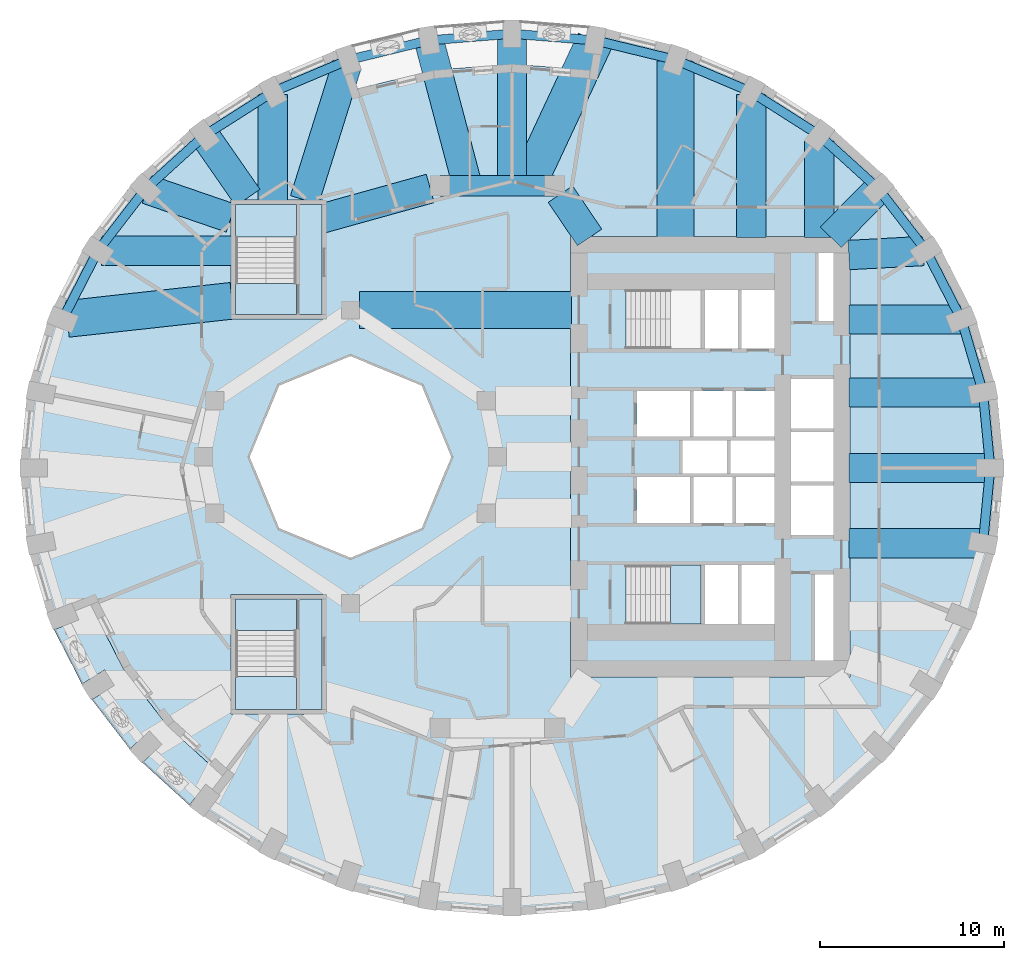
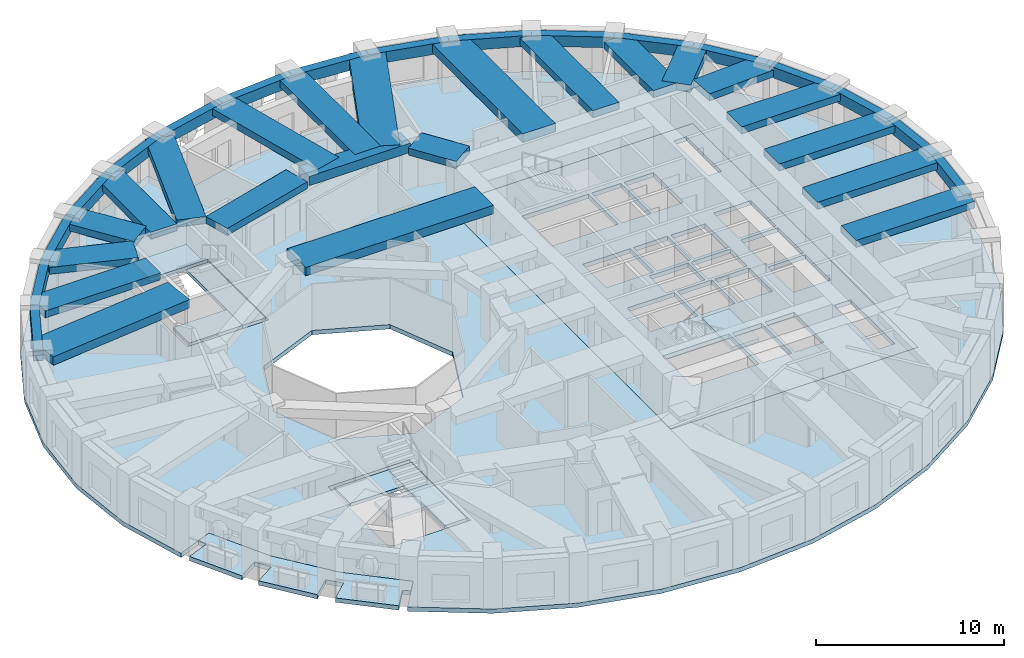
# One storey, part 2 of 12: 39 beams, 10 slabs, 3 elements without a shape of their own.
"""IFC4 building model written with IfcOpenShell, lengths in metres."""

from ifc_helpers import new_model, si_unit, direction, frame, origin, origin_2d, place, context, subcontext, project, spatial, polyline, rectangle, outline, extrude, material, layer, layer_set, material_profile, profile_set, type_object, element, aggregate, save


model = new_model("IFC4")

# Units and contexts
model_context = context("Model", 3, precision=1e-05, world=origin(), true_north=direction((0.0, 1.0)))
body_context = subcontext(model_context, "Body", "Model", "MODEL_VIEW")
ifc_project = project(units=[si_unit("LENGTHUNIT", "METRE"), si_unit("AREAUNIT", "SQUARE_METRE"), si_unit("VOLUMEUNIT", "CUBIC_METRE"), si_unit("PLANEANGLEUNIT", "RADIAN"), si_unit("MASSUNIT", "GRAM", prefix="KILO")], contexts=[model_context])

# Site, building, storey
site_placement = place(None, origin())
site = spatial("IfcSite", under=ifc_project, at=site_placement, CompositionType="ELEMENT")
building_placement = place(site_placement, origin())
building = spatial("IfcBuilding", under=site, at=building_placement, Name="Taillehof Tower", CompositionType="ELEMENT")
storey_placement = place(building_placement, frame((0.0, 0.0, 92.199951171875)))
storey = spatial("IfcBuildingStorey", under=building, at=storey_placement, Name="L25", CompositionType="ELEMENT", Elevation=92.199951171875)

# Beams
ifc_material_1 = material(Name="Concrete C50/60", Category="concrete")
ifc_material_profile_1 = material_profile(ifc_material_1, rectangle(XDim=1.10009765625, YDim=0.60009765625, at=origin_2d()), Name="RC 1100x600")
ifc_profile_set_1 = profile_set([ifc_material_profile_1], Name="Concrete C50/60")
beam_type_1 = type_object("IfcBeamType", Name="Mid-ring beam C50/60 1100x600", PredefinedType="BEAM", material=ifc_profile_set_1)
beam_1_placement = place(storey_placement, frame((3.125732421875, 14.772216796875, 2.719970703125), z_axis=(-1.0, 0.0, 0.0), x_axis=(0.0, -1.0, 0.0)))
element("IfcBeam", 1, at=beam_1_placement, inside=storey, type_object=beam_type_1, Name="Mid-ring beam MB01", PredefinedType="BEAM", context=body_context, shape_type="SweptSolid", body=[
    extrude(rectangle(XDim=1.10009765625, YDim=0.60009765625, at=origin_2d()), origin(), (0.0, 0.0, 1.0), 6.25146484375),
])
ifc_material_2 = material(Name="Concrete C50/60", Category="concrete")
ifc_material_profile_2 = material_profile(ifc_material_2, rectangle(XDim=1.60009765625, YDim=0.449951171875, at=origin_2d()), Name="RC 1600x450")
ifc_profile_set_2 = profile_set([ifc_material_profile_2], Name="Concrete C50/60")
beam_type_2 = type_object("IfcBeamType", Name="Radial band beam C50/60 1600x450", PredefinedType="BEAM", material=ifc_profile_set_2)
beam_2_placement = place(storey_placement, frame((26.85009765625, -0.60009765625, 2.795166015625), z_axis=(-1.0, 0.0, 0.0), x_axis=(0.0, -1.0, 0.0)))
element("IfcBeam", 2, at=beam_2_placement, inside=storey, type_object=beam_type_2, Name="Radial band beam RB01", PredefinedType="BEAM", context=body_context, shape_type="SweptSolid", body=[
    extrude(rectangle(XDim=1.60009765625, YDim=0.449951171875, at=origin_2d()), origin(), (0.0, 0.0, 1.0), 7.7001953125),
])
beam_3_placement = place(storey_placement, frame((26.454345703125, 3.5068359375, 2.795166015625), z_axis=(-1.0, 0.0, 0.0), x_axis=(0.0, -1.0, 0.0)))
element("IfcBeam", 3, at=beam_3_placement, inside=storey, type_object=beam_type_2, Name="Radial band beam RB02", PredefinedType="BEAM", context=body_context, shape_type="SweptSolid", body=[
    extrude(rectangle(XDim=1.60009765625, YDim=0.449951171875, at=origin_2d()), origin(), (0.0, 0.0, 1.0), 7.304443359375),
])
beam_4_placement = place(storey_placement, frame((25.2275390625, 7.48876953125, 2.795166015625), z_axis=(-1.0, 0.0, 0.0), x_axis=(0.0, -1.0, 0.0)))
element("IfcBeam", 4, at=beam_4_placement, inside=storey, type_object=beam_type_2, Name="Radial band beam RB03", PredefinedType="BEAM", context=body_context, shape_type="SweptSolid", body=[
    extrude(rectangle(XDim=1.60009765625, YDim=0.449951171875, at=origin_2d()), origin(), (0.0, 0.0, 1.0), 6.07763671875),
])
beam_5_placement = place(storey_placement, frame((23.197021484375, 11.21630859375, 2.795166015625), z_axis=(-0.998539024739, -0.054035322466, 0.0), x_axis=(0.054035322466, -0.998539024739, 0.0)))
element("IfcBeam", 5, at=beam_5_placement, inside=storey, type_object=beam_type_2, Name="Radial band beam RB04", PredefinedType="BEAM", context=body_context, shape_type="SweptSolid", body=[
    extrude(rectangle(XDim=1.60009765625, YDim=0.449951171875, at=origin_2d()), origin(), (0.0, 0.0, 1.0), 4.052734375),
])
beam_6_placement = place(storey_placement, frame((20.75537109375, 14.60205078125, 2.795166015625), z_axis=(-0.700671998657, -0.713483531903, 0.0), x_axis=(0.713483531903, -0.700671998657, 0.0)))
element("IfcBeam", 6, at=beam_6_placement, inside=storey, type_object=beam_type_2, Name="Radial band beam RB05", PredefinedType="BEAM", context=body_context, shape_type="SweptSolid", body=[
    extrude(rectangle(XDim=1.60009765625, YDim=0.449951171875, at=origin_2d()), origin(), (0.0, 0.0, 1.0), 3.697021484375),
])
beam_7_placement = place(storey_placement, frame((17.544677734375, 17.2216796875, 2.795166015625), z_axis=(0.0, -1.0, 0.0), x_axis=(1.0, 0.0, 0.0)))
element("IfcBeam", 7, at=beam_7_placement, inside=storey, type_object=beam_type_2, Name="Radial band beam RB06", PredefinedType="BEAM", context=body_context, shape_type="SweptSolid", body=[
    extrude(rectangle(XDim=1.60009765625, YDim=0.449951171875, at=origin_2d()), origin(), (0.0, 0.0, 1.0), 5.271728515625),
])
beam_8_placement = place(storey_placement, frame((13.824951171875, 19.744384765625, 2.795166015625), z_axis=(0.0, -1.0, 0.0), x_axis=(1.0, 0.0, 0.0)))
element("IfcBeam", 8, at=beam_8_placement, inside=storey, type_object=beam_type_2, Name="Radial band beam RB07", PredefinedType="BEAM", context=body_context, shape_type="SweptSolid", body=[
    extrude(rectangle(XDim=1.60009765625, YDim=0.449951171875, at=origin_2d()), origin(), (0.0, 0.0, 1.0), 7.79443359375),
])
beam_9_placement = place(storey_placement, frame((0.800048828125, 23.050048828125, 2.795166015625), z_axis=(0.0, -1.0, 0.0), x_axis=(1.0, 0.0, 0.0)))
element("IfcBeam", 9, at=beam_9_placement, inside=storey, type_object=beam_type_2, Name="Radial band beam RB10", PredefinedType="BEAM", context=body_context, shape_type="SweptSolid", body=[
    extrude(rectangle(XDim=1.60009765625, YDim=0.449951171875, at=origin_2d()), origin(), (0.0, 0.0, 1.0), 8.27783203125),
])
beam_10_placement = place(storey_placement, frame((-3.7236328125, 22.690673828125, 2.795166015625), z_axis=(0.256102263642, -0.966649693817, 0.0), x_axis=(0.966649693817, 0.256102263642, 0.0)))
element("IfcBeam", 10, at=beam_10_placement, inside=storey, type_object=beam_type_2, Name="Radial band beam RB11", PredefinedType="BEAM", context=body_context, shape_type="SweptSolid", body=[
    extrude(rectangle(XDim=1.60009765625, YDim=0.449951171875, at=origin_2d()), origin(), (0.0, 0.0, 1.0), 8.191650390625),
])
beam_11_placement = place(storey_placement, frame((-8.189453125, 21.369140625, 2.795166015625), z_axis=(-0.299184997435, -0.954195125386, 0.0), x_axis=(0.954195125386, -0.299184997435, 0.0)))
element("IfcBeam", 11, at=beam_11_placement, inside=storey, type_object=beam_type_2, Name="Radial band beam RB12", PredefinedType="BEAM", context=body_context, shape_type="SweptSolid", body=[
    extrude(rectangle(XDim=1.60009765625, YDim=0.449951171875, at=origin_2d()), origin(), (0.0, 0.0, 1.0), 7.728515625),
])
beam_12_placement = place(storey_placement, frame((-12.22509765625, 19.744384765625, 2.795166015625), z_axis=(0.0, -1.0, 0.0), x_axis=(1.0, 0.0, 0.0)))
element("IfcBeam", 12, at=beam_12_placement, inside=storey, type_object=beam_type_2, Name="Radial band beam RB13", PredefinedType="BEAM", context=body_context, shape_type="SweptSolid", body=[
    extrude(rectangle(XDim=1.60009765625, YDim=0.449951171875, at=origin_2d()), origin(), (0.0, 0.0, 1.0), 5.79443359375),
])
beam_13_placement = place(storey_placement, frame((-15.944580078125, 17.516845703125, 2.795166015625), z_axis=(0.570763290366, -0.821114648737, 0.0), x_axis=(0.821114648737, 0.570763290366, 0.0)))
element("IfcBeam", 13, at=beam_13_placement, inside=storey, type_object=beam_type_2, Name="Radial band beam RB14", PredefinedType="BEAM", context=body_context, shape_type="SweptSolid", body=[
    extrude(rectangle(XDim=1.60009765625, YDim=0.449951171875, at=origin_2d()), origin(), (0.0, 0.0, 1.0), 4.1328125),
])
beam_14_placement = place(storey_placement, frame((-19.080810546875, 14.576171875, 2.795166015625), z_axis=(0.945583195076, -0.325380425334, 0.0), x_axis=(0.325380425334, 0.945583195076, 0.0)))
element("IfcBeam", 14, at=beam_14_placement, inside=storey, type_object=beam_type_2, Name="Radial band beam RB15", PredefinedType="BEAM", context=body_context, shape_type="SweptSolid", body=[
    extrude(rectangle(XDim=1.60009765625, YDim=0.449951171875, at=origin_2d()), origin(), (0.0, 0.0, 1.0), 4.83349609375),
])
beam_15_placement = place(storey_placement, frame((-21.54736328125, 11.22509765625, 2.795166015625), z_axis=(1.0, 0.0, 0.0), x_axis=(0.0, 1.0, 0.0)))
element("IfcBeam", 15, at=beam_15_placement, inside=storey, type_object=beam_type_2, Name="Radial band beam RB16", PredefinedType="BEAM", context=body_context, shape_type="SweptSolid", body=[
    extrude(rectangle(XDim=1.60009765625, YDim=0.449951171875, at=origin_2d()), origin(), (0.0, 0.0, 1.0), 7.097412109375),
])
beam_16_placement = place(storey_placement, frame((26.454345703125, -4.706787109375, 2.795166015625), z_axis=(-1.0, 0.0, 0.0), x_axis=(0.0, -1.0, 0.0)))
element("IfcBeam", 16, at=beam_16_placement, inside=storey, type_object=beam_type_2, Name="Radial band beam RB36", PredefinedType="BEAM", context=body_context, shape_type="SweptSolid", body=[
    extrude(rectangle(XDim=1.60009765625, YDim=0.449951171875, at=origin_2d()), origin(), (0.0, 0.0, 1.0), 7.304443359375),
])
beam_17_placement = place(storey_placement, frame((3.433837890625, 14.31640625, 2.795166015625), z_axis=(0.560112043398, -0.828416862962, 0.0), x_axis=(0.828416862962, 0.560112043398, 0.0)))
element("IfcBeam", 17, at=beam_17_placement, inside=storey, type_object=beam_type_2, Name="Inner band beam IB205", PredefinedType="BEAM", context=body_context, shape_type="SweptSolid", body=[
    extrude(rectangle(XDim=1.60009765625, YDim=0.449951171875, at=origin_2d()), origin(), (0.0, 0.0, 1.0), 2.84619140625),
])
beam_18_placement = place(storey_placement, frame((-3.655517578125, 14.624755859375, 2.795166015625), z_axis=(-0.963459369536, -0.267854518821, 0.0), x_axis=(0.267854518821, -0.963459369536, 0.0)))
element("IfcBeam", 18, at=beam_18_placement, inside=storey, type_object=beam_type_2, Name="Inner band beam IB206", PredefinedType="BEAM", context=body_context, shape_type="SweptSolid", body=[
    extrude(rectangle(XDim=1.60009765625, YDim=0.449951171875, at=origin_2d()), origin(), (0.0, 0.0, 1.0), 6.096923828125),
])
ifc_material_3 = material(Name="Concrete C50/60", Category="concrete")
ifc_material_profile_3 = material_profile(ifc_material_3, rectangle(XDim=2.0, YDim=0.550048828125, at=origin_2d()), Name="RC 2000x550")
ifc_profile_set_3 = profile_set([ifc_material_profile_3], Name="Concrete C50/60")
beam_type_3 = type_object("IfcBeamType", Name="Radial band beam C50/60 2000x550", PredefinedType="BEAM", material=ifc_profile_set_3)
beam_19_placement = place(storey_placement, frame((9.709716796875, 21.556640625, 2.7451171875), z_axis=(0.0, -1.0, 0.0), x_axis=(1.0, 0.0, 0.0)))
element("IfcBeam", 19, at=beam_19_placement, inside=storey, type_object=beam_type_3, Name="Radial band beam RB08", PredefinedType="BEAM", context=body_context, shape_type="SweptSolid", body=[
    extrude(rectangle(XDim=2.0, YDim=0.550048828125, at=origin_2d()), origin(), (0.0, 0.0, 1.0), 9.606689453125),
])
beam_20_placement = place(storey_placement, frame((5.312744140625, 22.66748046875, 2.7451171875), z_axis=(-0.423126261145, -0.90607072965, 0.0), x_axis=(0.90607072965, -0.423126261145, 0.0)))
element("IfcBeam", 20, at=beam_20_placement, inside=storey, type_object=beam_type_3, Name="Radial band beam RB09", PredefinedType="BEAM", context=body_context, shape_type="SweptSolid", body=[
    extrude(rectangle(XDim=2.0, YDim=0.550048828125, at=origin_2d()), origin(), (0.0, 0.0, 1.0), 8.713623046875),
])
beam_21_placement = place(storey_placement, frame((-23.42919921875, 7.516357421875, 2.7451171875), z_axis=(0.993988424713, 0.109485211499, 0.0), x_axis=(-0.109485211499, 0.993988424713, 0.0)))
element("IfcBeam", 21, at=beam_21_placement, inside=storey, type_object=beam_type_3, Name="Radial band beam RB17", PredefinedType="BEAM", context=body_context, shape_type="SweptSolid", body=[
    extrude(rectangle(XDim=2.0, YDim=0.550048828125, at=origin_2d()), origin(), (0.0, 0.0, 1.0), 9.033203125),
])
beam_22_placement = place(storey_placement, frame((-7.5, 8.0, 2.7451171875), z_axis=(1.0, 0.0, 0.0), x_axis=(0.0, 1.0, 0.0)))
element("IfcBeam", 22, at=beam_22_placement, inside=storey, type_object=beam_type_3, Name="Inner band beam IB105", PredefinedType="BEAM", context=body_context, shape_type="SweptSolid", body=[
    extrude(rectangle(XDim=2.0, YDim=0.550048828125, at=origin_2d()), origin(), (0.0, 0.0, 1.0), 11.550048828125),
])
ifc_material_4 = material(Name="Concrete C50/60", Category="concrete")
ifc_material_profile_4 = material_profile(ifc_material_4, rectangle(XDim=0.5, YDim=0.699951171875, at=origin_2d()), Name="RC 500x700")
ifc_profile_set_4 = profile_set([ifc_material_profile_4], Name="Concrete C50/60")
beam_type_4 = type_object("IfcBeamType", Name="Spandrel beam C50/60 500x700", PredefinedType="SPANDREL", material=ifc_profile_set_4)
beam_23_placement = place(storey_placement, frame((26.85009765625, -0.60009765625, 2.670166015625), z_axis=(-0.095917608943, 0.995389276763, 0.0), x_axis=(-0.995389276763, -0.095917608943, 0.0)))
element("IfcBeam", 23, at=beam_23_placement, inside=storey, type_object=beam_type_4, Name="Spandrel beam SB01", PredefinedType="SPANDREL", context=body_context, shape_type="SweptSolid", body=[
    extrude(rectangle(XDim=0.5, YDim=0.699951171875, at=origin_2d()), origin(), (0.0, 0.0, 1.0), 4.1259765625),
])
beam_24_placement = place(storey_placement, frame((26.454345703125, 3.5068359375, 2.670166015625), z_axis=(-0.28308309012, 0.95909538842, 0.0), x_axis=(-0.95909538842, -0.28308309012, 0.0)))
element("IfcBeam", 24, at=beam_24_placement, inside=storey, type_object=beam_type_4, Name="Spandrel beam SB02", PredefinedType="SPANDREL", context=body_context, shape_type="SweptSolid", body=[
    extrude(rectangle(XDim=0.5, YDim=0.699951171875, at=origin_2d()), origin(), (0.0, 0.0, 1.0), 4.15185546875),
])
beam_25_placement = place(storey_placement, frame((25.279052734375, 7.48876953125, 2.670166015625), z_axis=(-0.456905372708, 0.88951530644, 0.0), x_axis=(-0.88951530644, -0.456905372708, 0.0)))
element("IfcBeam", 25, at=beam_25_placement, inside=storey, type_object=beam_type_4, Name="Spandrel beam SB03", PredefinedType="SPANDREL", context=body_context, shape_type="SweptSolid", body=[
    extrude(rectangle(XDim=0.5, YDim=0.699951171875, at=origin_2d()), origin(), (0.0, 0.0, 1.0), 4.200439453125),
])
beam_26_placement = place(storey_placement, frame((23.35986328125, 11.22509765625, 2.670166015625), z_axis=(-0.61071731561, 0.79184869793, 0.0), x_axis=(-0.79184869793, -0.61071731561, 0.0)))
element("IfcBeam", 26, at=beam_26_placement, inside=storey, type_object=beam_type_4, Name="Spandrel beam SB04", PredefinedType="SPANDREL", context=body_context, shape_type="SweptSolid", body=[
    extrude(rectangle(XDim=0.5, YDim=0.699951171875, at=origin_2d()), origin(), (0.0, 0.0, 1.0), 4.2646484375),
])
beam_27_placement = place(storey_placement, frame((20.75537109375, 14.60205078125, 2.670166015625), z_axis=(-0.740400998917, 0.672165426665, 0.0), x_axis=(-0.672165426665, -0.740400998917, 0.0)))
element("IfcBeam", 27, at=beam_27_placement, inside=storey, type_object=beam_type_4, Name="Spandrel beam SB05", PredefinedType="SPANDREL", context=body_context, shape_type="SweptSolid", body=[
    extrude(rectangle(XDim=0.5, YDim=0.699951171875, at=origin_2d()), origin(), (0.0, 0.0, 1.0), 4.33642578125),
])
beam_28_placement = place(storey_placement, frame((17.544677734375, 17.516845703125, 2.670166015625), z_axis=(-0.843903157847, 0.536495536027, 0.0), x_axis=(-0.536495536027, -0.843903157847, 0.0)))
element("IfcBeam", 28, at=beam_28_placement, inside=storey, type_object=beam_type_4, Name="Spandrel beam SB06", PredefinedType="SPANDREL", context=body_context, shape_type="SweptSolid", body=[
    extrude(rectangle(XDim=0.5, YDim=0.699951171875, at=origin_2d()), origin(), (0.0, 0.0, 1.0), 4.40771484375),
])
beam_29_placement = place(storey_placement, frame((13.824951171875, 19.881591796875, 2.670166015625), z_axis=(-0.920876744153, 0.389853847074, 0.0), x_axis=(-0.389853847074, -0.920876744153, 0.0)))
element("IfcBeam", 29, at=beam_29_placement, inside=storey, type_object=beam_type_4, Name="Spandrel beam SB07", PredefinedType="SPANDREL", context=body_context, shape_type="SweptSolid", body=[
    extrude(rectangle(XDim=0.5, YDim=0.699951171875, at=origin_2d()), origin(), (0.0, 0.0, 1.0), 4.46875),
])
beam_30_placement = place(storey_placement, frame((9.709716796875, 21.623779296875, 2.670166015625), z_axis=(-0.971668945916, 0.23634605887, 0.0), x_axis=(-0.23634605887, -0.971668945916, 0.0)))
element("IfcBeam", 30, at=beam_30_placement, inside=storey, type_object=beam_type_4, Name="Spandrel beam SB08", PredefinedType="SPANDREL", context=body_context, shape_type="SweptSolid", body=[
    extrude(rectangle(XDim=0.5, YDim=0.699951171875, at=origin_2d()), origin(), (0.0, 0.0, 1.0), 4.51416015625),
])
beam_31_placement = place(storey_placement, frame((5.323486328125, 22.690673828125, 2.670166015625), z_axis=(-0.996858923208, 0.079197772828, 0.0), x_axis=(-0.079197772828, -0.996858923208, 0.0)))
element("IfcBeam", 31, at=beam_31_placement, inside=storey, type_object=beam_type_4, Name="Spandrel beam SB09", PredefinedType="SPANDREL", context=body_context, shape_type="SweptSolid", body=[
    extrude(rectangle(XDim=0.5, YDim=0.699951171875, at=origin_2d()), origin(), (0.0, 0.0, 1.0), 4.53759765625),
])
beam_32_placement = place(storey_placement, frame((0.800048828125, 23.050048828125, 2.670166015625), z_axis=(-0.996859260648, -0.079193525375, 0.0), x_axis=(0.079193525375, -0.996859260648, 0.0)))
element("IfcBeam", 32, at=beam_32_placement, inside=storey, type_object=beam_type_4, Name="Spandrel beam SB10", PredefinedType="SPANDREL", context=body_context, shape_type="SweptSolid", body=[
    extrude(rectangle(XDim=0.5, YDim=0.699951171875, at=origin_2d()), origin(), (0.0, 0.0, 1.0), 4.537841796875),
])
beam_33_placement = place(storey_placement, frame((-3.7236328125, 22.690673828125, 2.670166015625), z_axis=(-0.971665924588, -0.236358479847, 0.0), x_axis=(0.236358479847, -0.971665924588, 0.0)))
element("IfcBeam", 33, at=beam_33_placement, inside=storey, type_object=beam_type_4, Name="Spandrel beam SB11", PredefinedType="SPANDREL", context=body_context, shape_type="SweptSolid", body=[
    extrude(rectangle(XDim=0.5, YDim=0.699951171875, at=origin_2d()), origin(), (0.0, 0.0, 1.0), 4.513916015625),
])
beam_34_placement = place(storey_placement, frame((-8.109619140625, 21.623779296875, 2.670166015625), z_axis=(-0.920885046825, -0.389834234688, 0.0), x_axis=(0.389834234688, -0.920885046825, 0.0)))
element("IfcBeam", 34, at=beam_34_placement, inside=storey, type_object=beam_type_4, Name="Spandrel beam SB12", PredefinedType="SPANDREL", context=body_context, shape_type="SweptSolid", body=[
    extrude(rectangle(XDim=0.5, YDim=0.699951171875, at=origin_2d()), origin(), (0.0, 0.0, 1.0), 4.468994140625),
])
beam_35_placement = place(storey_placement, frame((-12.22509765625, 19.881591796875, 2.670166015625), z_axis=(-0.843887214322, -0.536520614239, 0.0), x_axis=(0.536520614239, -0.843887214322, 0.0)))
element("IfcBeam", 35, at=beam_35_placement, inside=storey, type_object=beam_type_4, Name="Spandrel beam SB13", PredefinedType="SPANDREL", context=body_context, shape_type="SweptSolid", body=[
    extrude(rectangle(XDim=0.5, YDim=0.699951171875, at=origin_2d()), origin(), (0.0, 0.0, 1.0), 4.407470703125),
])
beam_36_placement = place(storey_placement, frame((-15.944580078125, 17.516845703125, 2.670166015625), z_axis=(-0.740426434014, -0.672137408432, 0.0), x_axis=(0.672137408432, -0.740426434014, 0.0)))
element("IfcBeam", 36, at=beam_36_placement, inside=storey, type_object=beam_type_4, Name="Spandrel beam SB14", PredefinedType="SPANDREL", context=body_context, shape_type="SweptSolid", body=[
    extrude(rectangle(XDim=0.5, YDim=0.699951171875, at=origin_2d()), origin(), (0.0, 0.0, 1.0), 4.336669921875),
])
beam_37_placement = place(storey_placement, frame((-19.155517578125, 14.60205078125, 2.670166015625), z_axis=(-0.61071731561, -0.79184869793, 0.0), x_axis=(0.79184869793, -0.61071731561, 0.0)))
element("IfcBeam", 37, at=beam_37_placement, inside=storey, type_object=beam_type_4, Name="Spandrel beam SB15", PredefinedType="SPANDREL", context=body_context, shape_type="SweptSolid", body=[
    extrude(rectangle(XDim=0.5, YDim=0.699951171875, at=origin_2d()), origin(), (0.0, 0.0, 1.0), 4.2646484375),
])
beam_38_placement = place(storey_placement, frame((-21.760009765625, 11.22509765625, 2.670166015625), z_axis=(-0.456859381733, -0.889538928503, 0.0), x_axis=(0.889538928503, -0.456859381733, 0.0)))
element("IfcBeam", 38, at=beam_38_placement, inside=storey, type_object=beam_type_4, Name="Spandrel beam SB16", PredefinedType="SPANDREL", context=body_context, shape_type="SweptSolid", body=[
    extrude(rectangle(XDim=0.5, YDim=0.699951171875, at=origin_2d()), origin(), (0.0, 0.0, 1.0), 4.2001953125),
])
beam_39_placement = place(storey_placement, frame((26.454345703125, -4.706787109375, 2.670166015625), z_axis=(0.09592325873, 0.995388732323, 0.0), x_axis=(-0.995388732323, 0.09592325873, 0.0)))
element("IfcBeam", 39, at=beam_39_placement, inside=storey, type_object=beam_type_4, Name="Spandrel beam SB36", PredefinedType="SPANDREL", context=body_context, shape_type="SweptSolid", body=[
    extrude(rectangle(XDim=0.5, YDim=0.699951171875, at=origin_2d()), origin(), (0.0, 0.0, 1.0), 4.125732421875),
])

# Slabs
ifc_material_5 = material(Name="Concrete C40/50", Category="concrete")
ifc_layer_1 = layer(ifc_material_5, 0.280029296875)
ifc_layer_set_1 = layer_set([ifc_layer_1], Name="Balcony slab 280")
slab_type_1 = type_object("IfcSlabType", Name="Balcony slab 280", PredefinedType="USERDEFINED", material=ifc_layer_set_1)
slab_1_placement = place(storey_placement, frame((0.0, 0.0, -0.280029296875)))
element("IfcSlab", 40, at=slab_1_placement, inside=storey, type_object=slab_type_1, Name="Balcony L25 pocket 6", ObjectType="BALCONY", PredefinedType="USERDEFINED", context=body_context, shape_type="SweptSolid", body=[
    extrude(outline(polyline([(-14.9697265625, -17.38427734375), (-15.5166015625, -18.10009765625), (-15.88671875, -17.8173828125), (-16.7724609375, -18.976806640625), (-19.3330078125, -16.6455078125), (-18.26513671875, -15.661376953125), (-18.94287109375, -14.926025390625), (-20.0146484375, -15.913818359375), (-22.084228515625, -13.22265625), (-20.85888671875, -12.445556640625), (-21.394287109375, -11.60107421875), (-22.6240234375, -12.380859375), (-24.14404296875, -9.4130859375), (-22.796875, -8.874755859375), (-22.9912109375, -8.388671875), (-22.1552734375, -8.054443359375), (-20.382568359375, -11.5146484375), (-17.965087890625, -14.657470703125), (-14.9697265625, -17.38427734375)])), origin(), (0.0, 0.0, 1.0), 0.280029296875),
])
ifc_material_6 = material(Name="Concrete C40/50", Category="concrete")
ifc_layer_2 = layer(ifc_material_6, 0.280029296875)
ifc_layer_set_2 = layer_set([ifc_layer_2], Name="Core floor slab C40/50 280")
slab_type_2 = type_object("IfcSlabType", Name="Core floor slab C40/50 280", PredefinedType="FLOOR", material=ifc_layer_set_2)
slab_2_placement = place(storey_placement, frame((0.0, 0.0, -0.280029296875)))
element("IfcSlab", 41, at=slab_2_placement, inside=storey, type_object=slab_type_2, Name="Core floor L25", PredefinedType="FLOOR", context=body_context, shape_type="SweptSolid", body=[
    extrude(outline(polyline([(4.0, -12.0), (4.0, 12.0), (19.199951171875, 12.0), (19.199951171875, -12.0), (4.0, -12.0)]), holes=[polyline([(7.00048828125, -9.10009765625), (11.10009765625, -9.10009765625), (11.10009765625, -5.89990234375), (7.00048828125, -5.89990234375), (7.00048828125, -9.10009765625)]), polyline([(13.10009765625, -9.10009765625), (13.10009765625, -5.89990234375), (11.300048828125, -5.89990234375), (11.300048828125, -9.10009765625), (13.10009765625, -9.10009765625)]), polyline([(10.5, -3.60009765625), (10.5, -1.10009765625), (7.60009765625, -1.10009765625), (7.60009765625, -3.60009765625), (10.5, -3.60009765625)]), polyline([(12.800048828125, -3.60009765625), (12.800048828125, -1.10009765625), (10.699951171875, -1.10009765625), (10.699951171875, -3.60009765625), (12.800048828125, -3.60009765625)]), polyline([(12.5, -0.89990234375), (12.5, 0.89990234375), (10.10009765625, 0.89990234375), (10.10009765625, -0.89990234375), (12.5, -0.89990234375)]), polyline([(15.10009765625, -0.89990234375), (15.10009765625, 0.89990234375), (12.699951171875, 0.89990234375), (12.699951171875, -0.89990234375), (15.10009765625, -0.89990234375)]), polyline([(10.5, 1.10009765625), (10.5, 3.60009765625), (7.60009765625, 3.60009765625), (7.60009765625, 1.10009765625), (10.5, 1.10009765625)]), polyline([(10.699951171875, 1.10009765625), (12.800048828125, 1.10009765625), (12.800048828125, 3.60009765625), (10.699951171875, 3.60009765625), (10.699951171875, 1.10009765625)]), polyline([(11.300048828125, 5.89990234375), (13.10009765625, 5.89990234375), (13.10009765625, 9.10009765625), (11.300048828125, 9.10009765625), (11.300048828125, 5.89990234375)]), polyline([(11.10009765625, 5.89990234375), (11.10009765625, 9.10009765625), (7.00048828125, 9.10009765625), (7.00048828125, 5.89990234375), (11.10009765625, 5.89990234375)]), polyline([(18.300048828125, -11.10009765625), (18.300048828125, -6.39990234375), (17.300048828125, -6.39990234375), (17.300048828125, -11.10009765625), (18.300048828125, -11.10009765625)]), polyline([(15.10009765625, -9.10009765625), (15.10009765625, -5.89990234375), (13.300048828125, -5.89990234375), (13.300048828125, -9.10009765625), (15.10009765625, -9.10009765625)]), polyline([(16.0, -4.25), (18.300048828125, -4.25), (18.300048828125, -1.550048828125), (16.0, -1.550048828125), (16.0, -4.25)]), polyline([(13.0, -3.60009765625), (15.10009765625, -3.60009765625), (15.10009765625, -1.10009765625), (13.0, -1.10009765625), (13.0, -3.60009765625)]), polyline([(18.300048828125, -1.35009765625), (18.300048828125, 1.35009765625), (16.0, 1.35009765625), (16.0, -1.35009765625), (18.300048828125, -1.35009765625)]), polyline([(15.10009765625, 1.10009765625), (15.10009765625, 3.60009765625), (13.0, 3.60009765625), (13.0, 1.10009765625), (15.10009765625, 1.10009765625)]), polyline([(18.300048828125, 1.550048828125), (18.300048828125, 4.25), (16.0, 4.25), (16.0, 1.550048828125), (18.300048828125, 1.550048828125)]), polyline([(13.300048828125, 5.89990234375), (15.10009765625, 5.89990234375), (15.10009765625, 9.10009765625), (13.300048828125, 9.10009765625), (13.300048828125, 5.89990234375)]), polyline([(17.5, 7.39990234375), (18.300048828125, 7.39990234375), (18.300048828125, 11.10009765625), (17.5, 11.10009765625), (17.5, 7.39990234375)])]), origin(), (0.0, 0.0, 1.0), 0.280029296875),
])
ifc_material_7 = material(Name="Concrete C40/50", Category="concrete")
ifc_layer_3 = layer(ifc_material_7, 0.280029296875)
ifc_layer_set_3 = layer_set([ifc_layer_3], Name="Floor slab 280")
slab_type_3 = type_object("IfcSlabType", Name="Floor slab 280", PredefinedType="FLOOR", material=ifc_layer_set_3)
slab_3_placement = place(storey_placement, frame((0.0, 0.0, -0.280029296875)))
element("IfcSlab", 42, at=slab_3_placement, inside=storey, type_object=slab_type_3, Name="Floor slab L25", PredefinedType="FLOOR", context=body_context, shape_type="SweptSolid", body=[
    extrude(outline(polyline([(27.60009765625, -0.60009765625), (27.19287109375, 3.636962890625), (25.98388671875, 7.745361328125), (24.009521484375, 11.60009765625), (21.330078125, 15.083984375), (18.026611328125, 18.091552734375), (14.199951171875, 20.531005859375), (9.966064453125, 22.32861328125), (5.453857421875, 23.42919921875), (5.073486328125, 21.059814453125), (0.800048828125, 21.39990234375), (-3.473388671875, 21.059814453125), (-7.611083984375, 20.05029296875), (-8.3662109375, 22.32861328125), (-12.60009765625, 20.531005859375), (-16.4267578125, 18.091552734375), (-19.72998046875, 15.083984375), (-22.409423828125, 11.60009765625), (-24.3837890625, 7.745361328125), (-25.5927734375, 3.636962890625), (-26.0, -0.60009765625), (-25.5927734375, -4.8369140625), (-24.3837890625, -8.9453125), (-22.1552734375, -8.054443359375), (-20.3828125, -11.5146484375), (-17.965087890625, -14.657470703125), (-14.9697265625, -17.38427734375), (-16.4267578125, -19.29150390625), (-12.60009765625, -21.73095703125), (-8.3662109375, -23.528564453125), (-3.853759765625, -24.62939453125), (0.800048828125, -25.0), (5.453857421875, -24.62939453125), (9.966064453125, -23.528564453125), (14.199951171875, -21.73095703125), (18.026611328125, -19.29150390625), (21.330078125, -16.283935546875), (24.009521484375, -12.800048828125), (25.98388671875, -8.9453125), (27.19287109375, -4.8369140625), (27.60009765625, -0.60009765625)]), holes=[polyline([(-14.5, -7.5), (-9.5, -7.5), (-9.5, -14.0), (-14.5, -14.0), (-14.5, -7.5)]), polyline([(-8.0, -5.5), (-11.88916015625, -3.88916015625), (-13.5, 0.0), (-11.88916015625, 3.88916015625), (-8.0, 5.5), (-4.11083984375, 3.88916015625), (-2.5, 0.0), (-4.11083984375, -3.88916015625), (-8.0, -5.5)]), polyline([(19.199951171875, 12.0), (19.199951171875, -12.0), (4.0, -12.0), (4.0, 12.0), (19.199951171875, 12.0)]), polyline([(-14.5, 14.0), (-9.5, 14.0), (-9.5, 7.5), (-14.5, 7.5), (-14.5, 14.0)])]), origin(), (0.0, 0.0, 1.0), 0.280029296875),
])

# Stair, slab
ifc_material_8 = material(Name="Concrete C40/50", Category="concrete")
stair_type = type_object("IfcStairType", Name="Exit stair half-turn", PredefinedType="HALF_TURN_STAIR", material=ifc_material_8)
stair_1_placement = place(storey_placement, origin())
stair_1 = element("IfcStair", 43, at=stair_1_placement, inside=storey, type_object=stair_type, Name="Exit stair S2", PredefinedType="HALF_TURN_STAIR")
ifc_material_9 = material(Name="Concrete C40/50", Category="concrete")
ifc_layer_4 = layer(ifc_material_9, 0.2099609375)
ifc_layer_set_4 = layer_set([ifc_layer_4], Name="Stair landing C40/50 210")
slab_type_4 = type_object("IfcSlabType", Name="Stair landing C40/50 210", PredefinedType="LANDING", material=ifc_layer_set_4)
slab_4_placement = place(storey_placement, frame((0.0, 0.0, 1.43994140625)))
slab_4 = element("IfcSlab", 44, at=slab_4_placement, type_object=slab_type_4, Name="S2 landing 1", PredefinedType="LANDING", context=body_context, shape_type="SweptSolid", body=[
    extrude(outline(polyline([(9.429931640625, -5.89990234375), (11.10009765625, -5.89990234375), (11.10009765625, -9.10009765625), (9.429931640625, -9.10009765625), (9.429931640625, -5.89990234375)])), origin(), (0.0, 0.0, 1.0), 0.210205078125),
])
aggregate(stair_1, [slab_4])

stair_2_placement = place(storey_placement, origin())
stair_2 = element("IfcStair", 45, at=stair_2_placement, inside=storey, type_object=stair_type, Name="Exit stair S3", PredefinedType="HALF_TURN_STAIR")
slab_5_placement = place(storey_placement, frame((0.0, 0.0, 1.43994140625)))
slab_5 = element("IfcSlab", 46, at=slab_5_placement, type_object=slab_type_4, Name="S3 landing 1", PredefinedType="LANDING", context=body_context, shape_type="SweptSolid", body=[
    extrude(outline(polyline([(-14.25, 11.969970703125), (-14.25, 13.75), (-10.949951171875, 13.75), (-10.949951171875, 11.969970703125), (-14.25, 11.969970703125)])), origin(), (0.0, 0.0, 1.0), 0.210205078125),
])
aggregate(stair_2, [slab_5])

stair_3_placement = place(storey_placement, origin())
stair_3 = element("IfcStair", 47, at=stair_3_placement, inside=storey, type_object=stair_type, Name="Exit stair S4", PredefinedType="HALF_TURN_STAIR")
slab_6_placement = place(storey_placement, frame((0.0, 0.0, 1.43994140625)))
slab_6 = element("IfcSlab", 48, at=slab_6_placement, type_object=slab_type_4, Name="S4 landing 1", PredefinedType="LANDING", context=body_context, shape_type="SweptSolid", body=[
    extrude(outline(polyline([(-14.25, -11.969970703125), (-14.25, -13.75), (-10.949951171875, -13.75), (-10.949951171875, -11.969970703125), (-14.25, -11.969970703125)])), origin(), (0.0, 0.0, 1.0), 0.210205078125),
])
aggregate(stair_3, [slab_6])

# Slabs
slab_7_placement = place(storey_placement, frame((0.0, 0.0, -0.2099609375)))
element("IfcSlab", 49, at=slab_7_placement, inside=storey, type_object=slab_type_4, Name="Stair S3 floor landing", PredefinedType="LANDING", context=body_context, shape_type="SweptSolid", body=[
    extrude(outline(polyline([(-14.25, 7.75), (-14.25, 9.449951171875), (-10.949951171875, 9.449951171875), (-10.949951171875, 7.75), (-14.25, 7.75)])), origin(), (0.0, 0.0, 1.0), 0.2099609375),
])
slab_8_placement = place(storey_placement, frame((0.0, 0.0, -0.2099609375)))
element("IfcSlab", 50, at=slab_8_placement, inside=storey, type_object=slab_type_4, Name="Stair lobby S3 floor", PredefinedType="LANDING", context=body_context, shape_type="SweptSolid", body=[
    extrude(outline(polyline([(-10.949951171875, 7.75), (-9.550048828125, 7.75), (-9.550048828125, 13.75), (-10.949951171875, 13.75), (-10.949951171875, 7.75)])), origin(), (0.0, 0.0, 1.0), 0.2099609375),
])
slab_9_placement = place(storey_placement, frame((0.0, 0.0, -0.2099609375)))
element("IfcSlab", 51, at=slab_9_placement, inside=storey, type_object=slab_type_4, Name="Stair S4 floor landing", PredefinedType="LANDING", context=body_context, shape_type="SweptSolid", body=[
    extrude(outline(polyline([(-14.25, -7.75), (-14.25, -9.449951171875), (-10.949951171875, -9.449951171875), (-10.949951171875, -7.75), (-14.25, -7.75)])), origin(), (0.0, 0.0, 1.0), 0.2099609375),
])
slab_10_placement = place(storey_placement, frame((0.0, 0.0, -0.2099609375)))
element("IfcSlab", 52, at=slab_10_placement, inside=storey, type_object=slab_type_4, Name="Stair lobby S4 floor", PredefinedType="LANDING", context=body_context, shape_type="SweptSolid", body=[
    extrude(outline(polyline([(-10.949951171875, -13.75), (-9.550048828125, -13.75), (-9.550048828125, -7.75), (-10.949951171875, -7.75), (-10.949951171875, -13.75)])), origin(), (0.0, 0.0, 1.0), 0.2099609375),
])

save(model, "model.ifc")
